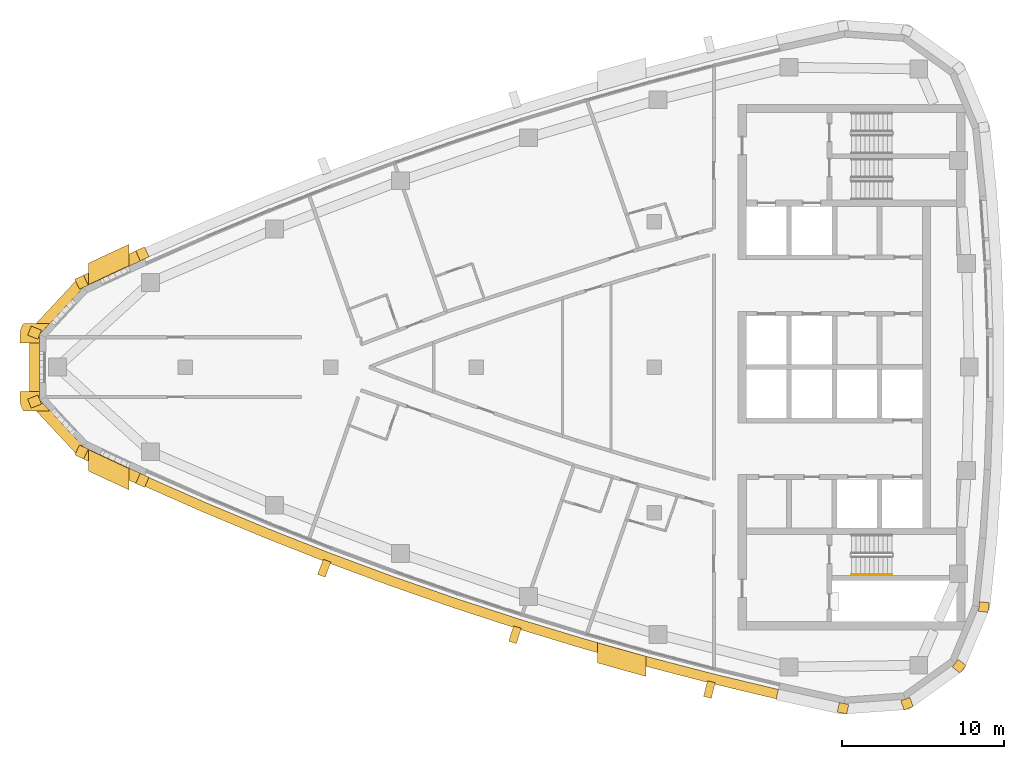
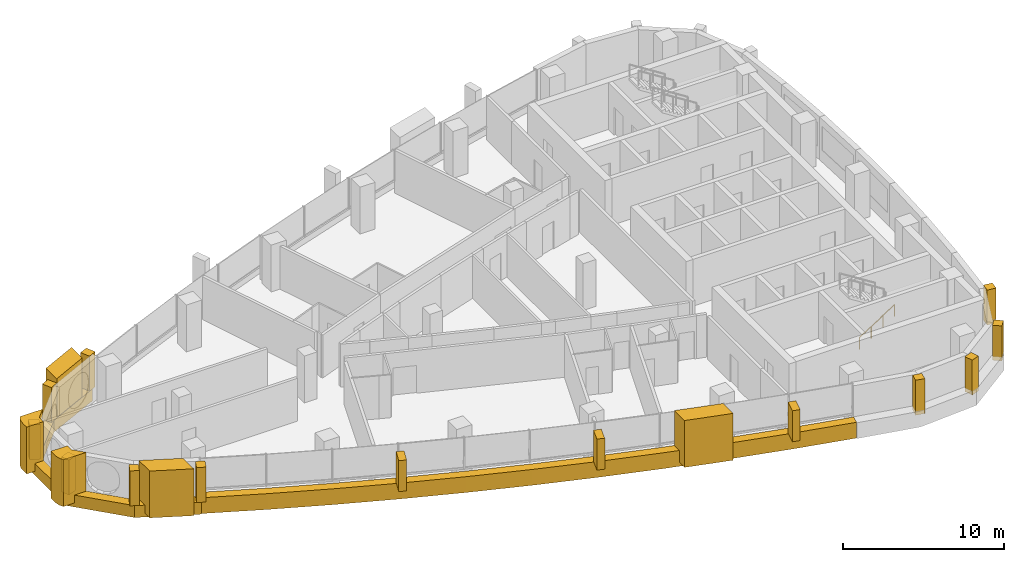
# One storey, part 11 of 14: 20 coverings, 1 railing.
"""IFC4 building model written with IfcOpenShell, lengths in metres."""

from ifc_helpers import new_model, si_unit, direction, frame, frame_2d, origin, origin_2d, place, context, subcontext, project, spatial, polyline, rectangle, circle, outline, extrude, material, layer, layer_set, type_object, element, save


model = new_model("IFC4")

# Units and contexts
model_context = context("Model", 3, precision=1e-05, world=origin(), true_north=direction((0.0, 1.0)))
body_context = subcontext(model_context, "Body", "Model", "MODEL_VIEW")
ifc_project = project(units=[si_unit("LENGTHUNIT", "METRE"), si_unit("AREAUNIT", "SQUARE_METRE"), si_unit("VOLUMEUNIT", "CUBIC_METRE"), si_unit("PLANEANGLEUNIT", "RADIAN"), si_unit("MASSUNIT", "GRAM", prefix="KILO")], contexts=[model_context])

# Site, building, storey
site_placement = place(None, origin())
site = spatial("IfcSite", under=ifc_project, at=site_placement, CompositionType="ELEMENT")
building_placement = place(site_placement, origin())
building = spatial("IfcBuilding", under=site, at=building_placement, Name="Ostrand Prow Hotel Tower", CompositionType="ELEMENT")
storey_placement = place(building_placement, frame((0.0, 0.0, 267.89990234375)))
storey = spatial("IfcBuildingStorey", under=building, at=storey_placement, Name="L67", CompositionType="ELEMENT", Elevation=267.89990234375)

# Coverings
ifc_material_1 = material(Name="Bronze anodised aluminium cladding", Category="aluminium")
ifc_layer_1 = layer(ifc_material_1, 0.60009765625)
ifc_layer_set_1 = layer_set([ifc_layer_1], Name="Bronze anodised aluminium cladding")
covering_type_1 = type_object("IfcCoveringType", Name="Bronze prow band 899x600", PredefinedType="CLADDING", material=ifc_layer_set_1)
covering_1_placement = place(storey_placement, frame((0.0, 0.0, -0.2998046875)))
element("IfcCovering", 1, at=covering_1_placement, inside=storey, type_object=covering_type_1, Name="Bronze prow band", PredefinedType="CLADDING", context=body_context, shape_type="SweptSolid", body=[
    extrude(outline(polyline([(13.195068359375, 7.316162109375), (9.424560546875, 5.559814453125), (6.348388671875, 2.2568359375), (6.348388671875, -2.2568359375), (9.424560546875, -5.559814453125), (13.195068359375, -7.316162109375), (13.47607421875, -6.697021484375), (9.718017578125, -4.9462890625), (6.981201171875, -2.0078125), (6.981201171875, 2.0078125), (9.718017578125, 4.9462890625), (13.47607421875, 6.697021484375), (13.195068359375, 7.316162109375)])), origin(), (0.0, 0.0, 1.0), 0.89990234375),
])
ifc_material_2 = material(Name="Bronze anodised aluminium cladding", Category="aluminium")
ifc_layer_2 = layer(ifc_material_2, 0.60009765625)
ifc_layer_set_2 = layer_set([ifc_layer_2], Name="Bronze anodised aluminium cladding")
covering_type_2 = type_object("IfcCoveringType", Name="Bronze spandrel band 1200x600", PredefinedType="CLADDING", material=ifc_layer_set_2)
covering_2_placement = place(storey_placement, frame((0.0, 0.0, -0.2998046875)))
element("IfcCovering", 2, at=covering_2_placement, inside=storey, type_object=covering_type_2, Name="Spandrel band S1", PredefinedType="CLADDING", context=body_context, shape_type="SweptSolid", body=[
    extrude(outline(polyline([(13.220947265625, -7.25927734375), (17.02490234375, -8.938720703125), (20.86181640625, -10.541748046875), (24.72998046875, -12.067138671875), (28.62841796875, -13.514404296875), (32.5546875, -14.88330078125), (36.508056640625, -16.172607421875), (40.486328125, -17.382568359375), (44.48828125, -18.51220703125), (48.51220703125, -19.56103515625), (52.55615234375, -20.52880859375), (52.68994140625, -19.94384765625), (48.65771484375, -18.97900390625), (44.6455078125, -17.93310546875), (40.6552734375, -16.806884765625), (36.6884765625, -15.6005859375), (32.74658203125, -14.314697265625), (28.83154296875, -12.949951171875), (24.944580078125, -11.5068359375), (21.08740234375, -9.98583984375), (17.26171875, -8.3876953125), (13.468994140625, -6.712890625), (13.220947265625, -7.25927734375)])), origin(), (0.0, 0.0, 1.0), 1.199951171875),
])
ifc_material_3 = material(Name="Limestone cladding", Category="masonry")
ifc_layer_3 = layer(ifc_material_3, 5.0)
ifc_layer_set_3 = layer_set([ifc_layer_3], Name="Limestone cladding")
covering_type_3 = type_object("IfcCoveringType", Name="Portal jamb pilaster limestone", PredefinedType="CLADDING", material=ifc_layer_set_3)
covering_3_placement = place(storey_placement, origin())
element("IfcCovering", 3, at=covering_3_placement, inside=storey, type_object=covering_type_3, Name="Portal jamb SA L67", PredefinedType="CLADDING", context=body_context, shape_type="SweptSolid", body=[
    extrude(outline(polyline([(10.0, -5.10009765625), (10.0, -6.428466796875), (10.833251953125, -6.8203125), (11.666748046875, -7.20751953125), (12.5, -7.590087890625), (12.5, -6.270263671875), (11.666748046875, -5.884765625), (10.833251953125, -5.494873046875), (10.0, -5.10009765625)])), origin(), (0.0, 0.0, 1.0), 3.550048828125),
])
covering_4_placement = place(storey_placement, origin())
element("IfcCovering", 4, at=covering_4_placement, inside=storey, type_object=covering_type_3, Name="Portal jamb SB L67", PredefinedType="CLADDING", context=body_context, shape_type="SweptSolid", body=[
    extrude(outline(polyline([(41.5, -17.052490234375), (41.5, -18.301025390625), (42.5, -18.585205078125), (43.5, -18.86376953125), (44.5, -19.136962890625), (44.5, -17.8935546875), (43.5, -17.61865234375), (42.5, -17.338134765625), (41.5, -17.052490234375)])), origin(), (0.0, 0.0, 1.0), 3.550048828125),
])
covering_5_placement = place(storey_placement, origin())
element("IfcCovering", 5, at=covering_5_placement, inside=storey, type_object=covering_type_3, Name="Portal jamb NA L67", PredefinedType="CLADDING", context=body_context, shape_type="SweptSolid", body=[
    extrude(outline(polyline([(10.0, 5.10009765625), (10.833251953125, 5.494873046875), (11.666748046875, 5.884765625), (12.5, 6.270263671875), (12.5, 7.590087890625), (11.666748046875, 7.20751953125), (10.833251953125, 6.8203125), (10.0, 6.428466796875), (10.0, 5.10009765625)])), origin(), (0.0, 0.0, 1.0), 3.550048828125),
])
ifc_material_4 = material(Name="Limestone cladding", Category="masonry")
ifc_layer_4 = layer(ifc_material_4, 0.5)
ifc_layer_set_4 = layer_set([ifc_layer_4], Name="Limestone cladding")
covering_type_4 = type_object("IfcCoveringType", Name="Precast stone fin 500x900", PredefinedType="CLADDING", material=ifc_layer_set_4)
covering_6_placement = place(storey_placement, frame((24.765869140625, -11.973876953125, 0.900146484375), z_axis=(0.0, 0.0, 1.0), x_axis=(-0.357456978517, -0.933929605757, 0.0)))
element("IfcCovering", 6, at=covering_6_placement, inside=storey, type_object=covering_type_4, Name="Stone fin S 4", PredefinedType="CLADDING", context=body_context, shape_type="SweptSolid", body=[
    extrude(rectangle(XDim=1.0, YDim=0.5, at=frame_2d((0.5, 0.0))), origin(), (0.0, 0.0, 1.0), 2.349853515625),
])
for number, where, z_axis, x_axis, name in (
    (7, (36.5380859375, -16.077392578125, 0.900146484375), (0.0, 0.0, 1.0), (-0.30058207316, -0.953755952692, 0.0), "Stone fin S 7"),
    (8, (48.536376953125, -19.464111328125, 0.900146484375), (0.0, 0.0, 1.0), (-0.242707978632, -0.970099395479, 0.0), "Stone fin S 10"),
):
    element("IfcCovering", number, at=place(storey_placement, frame(where, z_axis=z_axis, x_axis=x_axis)), inside=storey, type_object=covering_type_4, Name=name, PredefinedType="CLADDING", context=body_context, shape_type="SweptSolid", body=[
        extrude(rectangle(XDim=0.999755859375, YDim=0.5, at=frame_2d((0.5, 0.0))), origin(), (0.0, 0.0, 1.0), 2.349853515625),
    ])
ifc_material_5 = material(Name="Limestone cladding", Category="masonry")
ifc_layer_5 = layer(ifc_material_5, 0.60009765625)
ifc_layer_set_5 = layer_set([ifc_layer_5], Name="Limestone cladding")
covering_type_5 = type_object("IfcCoveringType", Name="Precast stone prow rib 600x600", PredefinedType="CLADDING", material=ifc_layer_set_5)
covering_7_placement = place(storey_placement, frame((13.47607421875, 6.697021484375, 0.60009765625), z_axis=(0.0, 0.0, 1.0), x_axis=(-0.413288868051, 0.910599973394, 0.0)))
element("IfcCovering", 9, at=covering_7_placement, inside=storey, type_object=covering_type_5, Name="Stone prow rib 1", PredefinedType="CLADDING", context=body_context, shape_type="SweptSolid", body=[
    extrude(rectangle(XDim=0.679931640625, YDim=0.60009765625, at=frame_2d((0.33984375, 0.0))), origin(), (0.0, 0.0, 1.0), 2.64990234375),
])
covering_8_placement = place(storey_placement, frame((9.718017578125, 4.9462890625, 0.60009765625), z_axis=(0.0, 0.0, 1.0), x_axis=(-0.431493603995, 0.902115995707, 0.0)))
element("IfcCovering", 10, at=covering_8_placement, inside=storey, type_object=covering_type_5, Name="Stone prow rib 2", PredefinedType="CLADDING", context=body_context, shape_type="SweptSolid", body=[
    extrude(rectangle(XDim=0.68017578125, YDim=0.60009765625, at=frame_2d((0.340087890625, 0.0))), origin(), (0.0, 0.0, 1.0), 2.64990234375),
])
for number, where, z_axis, x_axis, name in (
    (11, (6.981201171875, 2.0078125, 0.60009765625), (0.0, 0.0, 1.0), (-0.93054188789, 0.366185465142, 0.0), "Stone prow rib 3"),
    (12, (6.981201171875, -2.0078125, 0.60009765625), (0.0, 0.0, 1.0), (-0.93054188789, -0.366185465142, 0.0), "Stone prow rib 4"),
):
    element("IfcCovering", number, at=place(storey_placement, frame(where, z_axis=z_axis, x_axis=x_axis)), inside=storey, type_object=covering_type_5, Name=name, PredefinedType="CLADDING", context=body_context, shape_type="SweptSolid", body=[
        extrude(rectangle(XDim=0.679931640625, YDim=0.60009765625, at=frame_2d((0.33984375, 0.0))), origin(), (0.0, 0.0, 1.0), 2.64990234375),
    ])
covering_9_placement = place(storey_placement, frame((9.718017578125, -4.9462890625, 0.60009765625), z_axis=(0.0, 0.0, 1.0), x_axis=(-0.431493603995, -0.902115995707, 0.0)))
element("IfcCovering", 13, at=covering_9_placement, inside=storey, type_object=covering_type_5, Name="Stone prow rib 5", PredefinedType="CLADDING", context=body_context, shape_type="SweptSolid", body=[
    extrude(rectangle(XDim=0.68017578125, YDim=0.60009765625, at=frame_2d((0.340087890625, 0.0))), origin(), (0.0, 0.0, 1.0), 2.64990234375),
])
covering_10_placement = place(storey_placement, frame((13.47607421875, -6.697021484375, 0.60009765625), z_axis=(0.0, 0.0, 1.0), x_axis=(-0.413288868051, -0.910599973394, 0.0)))
element("IfcCovering", 14, at=covering_10_placement, inside=storey, type_object=covering_type_5, Name="Stone prow rib 6", PredefinedType="CLADDING", context=body_context, shape_type="SweptSolid", body=[
    extrude(rectangle(XDim=0.679931640625, YDim=0.60009765625, at=frame_2d((0.33984375, 0.0))), origin(), (0.0, 0.0, 1.0), 2.64990234375),
])
covering_11_placement = place(storey_placement, frame((56.744384765625, -20.810546875, 0.60009765625), z_axis=(0.0, 0.0, 1.0), x_axis=(-0.203385687349, -0.979098698897, 0.0)))
element("IfcCovering", 15, at=covering_11_placement, inside=storey, type_object=covering_type_5, Name="Stone corner rib 2a", PredefinedType="CLADDING", context=body_context, shape_type="SweptSolid", body=[
    extrude(rectangle(XDim=0.60009765625, YDim=0.60009765625, at=frame_2d((0.300048828125, 0.0))), origin(), (0.0, 0.0, 1.0), 2.64990234375),
])
for number, where, z_axis, x_axis, name in (
    (16, (60.540283203125, -20.539794921875, 0.60009765625), (0.0, 0.0, 1.0), (0.340664419472, -0.940184956966, 0.0), "Stone corner rib 3a"),
    (17, (63.630615234375, -18.318359375, 0.60009765625), (0.0, 0.0, 1.0), (0.782731736812, -0.622359243674, 0.0), "Stone corner rib 4a"),
):
    element("IfcCovering", number, at=place(storey_placement, frame(where, z_axis=z_axis, x_axis=x_axis)), inside=storey, type_object=covering_type_5, Name=name, PredefinedType="CLADDING", context=body_context, shape_type="SweptSolid", body=[
        extrude(rectangle(XDim=0.599853515625, YDim=0.60009765625, at=frame_2d((0.2998046875, 0.0))), origin(), (0.0, 0.0, 1.0), 2.64990234375),
    ])
covering_12_placement = place(storey_placement, frame((65.0966796875, -14.806396484375, 0.60009765625), z_axis=(0.0, 0.0, 1.0), x_axis=(0.992867207971, -0.119225447515, 0.0)))
element("IfcCovering", 18, at=covering_12_placement, inside=storey, type_object=covering_type_5, Name="Stone corner rib 4b", PredefinedType="CLADDING", context=body_context, shape_type="SweptSolid", body=[
    extrude(rectangle(XDim=0.60009765625, YDim=0.60009765625, at=frame_2d((0.300048828125, 0.0))), origin(), (0.0, 0.0, 1.0), 2.64990234375),
])
ifc_material_6 = material(Name="Limestone cladding", Category="masonry")
ifc_layer_6 = layer(ifc_material_6, 3.0)
ifc_layer_set_6 = layer_set([ifc_layer_6], Name="Limestone cladding")
covering_type_6 = type_object("IfcCoveringType", Name="Prow nose pier limestone", PredefinedType="CLADDING", material=ifc_layer_set_6)
covering_13_placement = place(storey_placement, origin())
element("IfcCovering", 19, at=covering_13_placement, inside=storey, type_object=covering_type_6, Name="Prow spine fin N L67", PredefinedType="CLADDING", context=body_context, shape_type="SweptSolid", body=[
    extrude(outline(polyline([(5.764892578125, 2.01416015625), (5.764892578125, 1.5), (6.96484375, 1.5), (6.96484375, 2.01416015625), (7.603515625, 2.699951171875), (5.981689453125, 2.699951171875), (5.94970703125, 2.654052734375), (5.894287109375, 2.55615234375), (5.84814453125, 2.45361328125), (5.81201171875, 2.34716796875), (5.785888671875, 2.23779296875), (5.77001953125, 2.12646484375), (5.764892578125, 2.01416015625)])), origin(), (0.0, 0.0, 1.0), 3.550048828125),
])
covering_14_placement = place(storey_placement, origin())
element("IfcCovering", 20, at=covering_14_placement, inside=storey, type_object=covering_type_6, Name="Prow spine fin S L67", PredefinedType="CLADDING", context=body_context, shape_type="SweptSolid", body=[
    extrude(outline(polyline([(5.94970703125, -2.654052734375), (5.981689453125, -2.699951171875), (7.603515625, -2.699951171875), (6.96484375, -2.01416015625), (6.96484375, -1.5), (5.764892578125, -1.5), (5.764892578125, -2.01416015625), (5.77001953125, -2.12646484375), (5.785888671875, -2.23779296875), (5.81201171875, -2.34716796875), (5.84814453125, -2.45361328125), (5.894287109375, -2.55615234375), (5.94970703125, -2.654052734375)])), origin(), (0.0, 0.0, 1.0), 3.550048828125),
])

# Railing
ifc_material_7 = material(Name="Stainless steel", Category="steel")
railing_type = type_object("IfcRailingType", Name="Stair handrail 900", PredefinedType="HANDRAIL", material=ifc_material_7)
railing_placement = place(storey_placement, frame((57.199951171875, -12.85009765625, 0.177490234375)))
element("IfcRailing", 21, at=railing_placement, inside=storey, type_object=railing_type, Name="L67 ST2C stair handrail 1", PredefinedType="HANDRAIL", context=body_context, shape_type="SweptSolid", body=[
    extrude(circle(Radius=0.02392578125, at=origin_2d()), frame((0.0, 0.0, 0.8759765625), z_axis=(0.84456994832, 0.0, 0.535445237532), x_axis=(0.0, 1.0, 0.0)), (0.0, 0.0, 1.0), 2.98388671875),
    extrude(circle(Radius=0.02099609375, at=origin_2d()), origin(), (0.0, 0.0, 1.0), 0.851806640625),
    extrude(circle(Radius=0.02099609375, at=origin_2d()), frame((0.840087890625, 0.0, 0.532470703125)), (0.0, 0.0, 1.0), 0.851806640625),
    extrude(circle(Radius=0.02099609375, at=origin_2d()), frame((1.679931640625, 0.0, 1.065185546875)), (0.0, 0.0, 1.0), 0.851806640625),
    extrude(circle(Radius=0.02099609375, at=origin_2d()), frame((2.52001953125, 0.0, 1.59765625)), (0.0, 0.0, 1.0), 0.851806640625),
])

save(model, "model.ifc")
